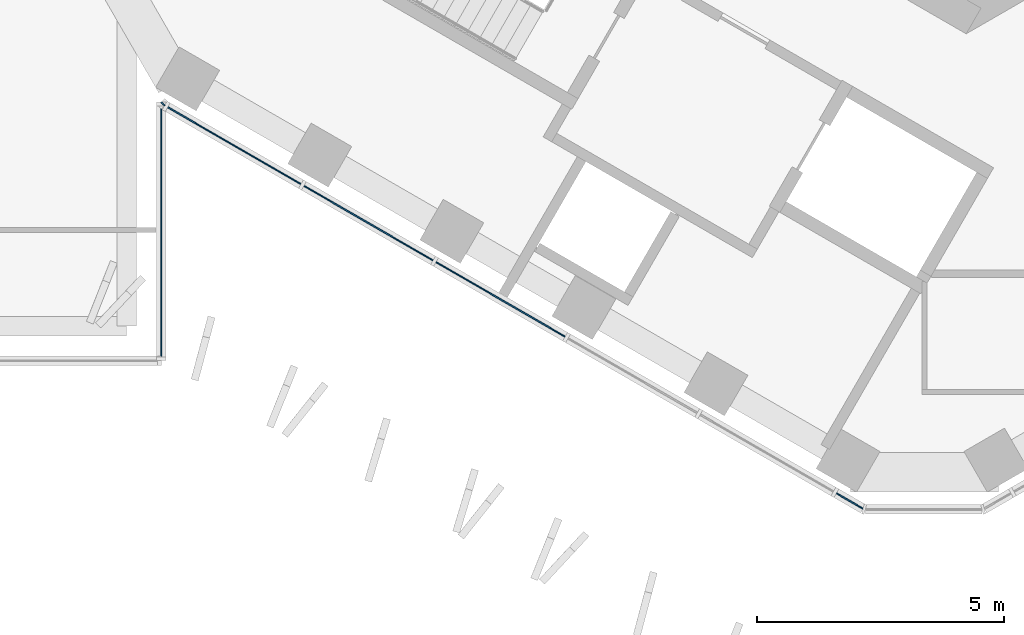
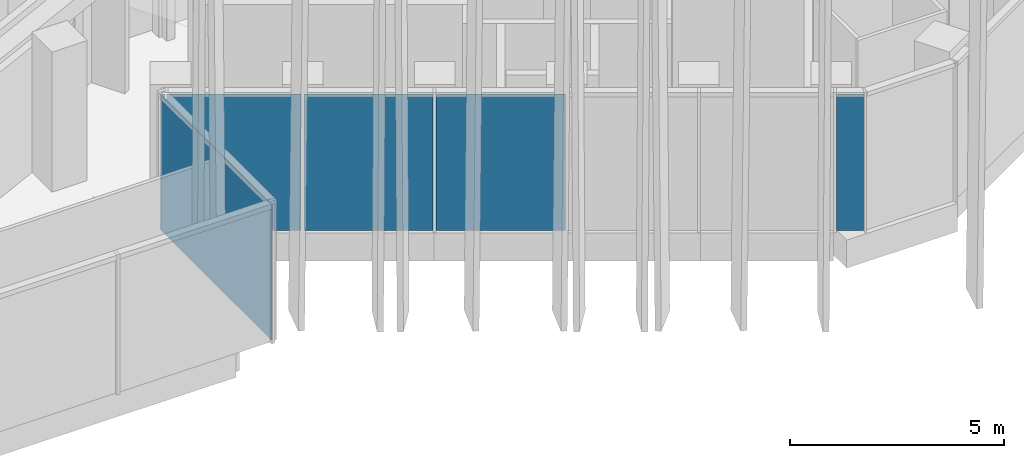
# One storey, part 12 of 28: 6 plates, 4 elements without a shape of their own.
"""IFC4 building model written with IfcOpenShell, lengths in metres."""

from ifc_helpers import new_model, si_unit, direction, frame, origin, origin_2d, place, context, subcontext, project, spatial, rectangle, extrude, material, layer, layer_set, type_object, element, aggregate, save


model = new_model("IFC4")

# Units and contexts
model_context = context("Model", 3, precision=1e-05, world=origin(), true_north=direction((0.0, 1.0)))
body_context = subcontext(model_context, "Body", "Model", "MODEL_VIEW")
ifc_project = project(units=[si_unit("LENGTHUNIT", "METRE"), si_unit("AREAUNIT", "SQUARE_METRE"), si_unit("VOLUMEUNIT", "CUBIC_METRE"), si_unit("PLANEANGLEUNIT", "RADIAN"), si_unit("MASSUNIT", "GRAM", prefix="KILO")], contexts=[model_context])

# Site, building, storey
site_placement = place(None, origin())
site = spatial("IfcSite", under=ifc_project, at=site_placement, CompositionType="ELEMENT")
building_placement = place(site_placement, origin())
building = spatial("IfcBuilding", under=site, at=building_placement, Name="Ayvan Gate Tower", CompositionType="ELEMENT")
storey_placement = place(building_placement, frame((0.0, 0.0, 202.10009765625)))
storey = spatial("IfcBuildingStorey", under=building, at=storey_placement, Name="L54", CompositionType="ELEMENT", Elevation=202.10009765625)

# Curtain wall, plates
ifc_material_1 = material(Name="Bronze anodised aluminium", Category="aluminium")
ifc_layer_1 = layer(ifc_material_1, 0.199951171875)
ifc_layer_set_1 = layer_set([ifc_layer_1], Name="Bronze anodised aluminium")
curtain_wall_type_1 = type_object("IfcCurtainWallType", Name="Stick curtain wall CW-2", PredefinedType="NOTDEFINED", material=ifc_layer_set_1)
curtain_wall_1_placement = place(storey_placement, origin())
curtain_wall_1 = element("IfcCurtainWall", 1, at=curtain_wall_1_placement, inside=storey, type_object=curtain_wall_type_1, Name="Stick curtain wall CW-2 L54", PredefinedType="NOTDEFINED")
ifc_material_2 = material(Name="Clear low-iron laminated glass", Category="glass")
ifc_layer_2 = layer(ifc_material_2, 0.028076171875)
ifc_layer_set_2 = layer_set([ifc_layer_2], Name="Clear low-iron laminated glass")
plate_type_1 = type_object("IfcPlateType", Name="Stick curtain wall CW-2 glass panel", PredefinedType="CURTAIN_PANEL", material=ifc_layer_set_2)
plate_1_placement = place(storey_placement, frame((-12.121826171875, -14.809814453125, 0.0), z_axis=(0.0, 0.0, 1.0), x_axis=(0.866025403784, -0.5, 0.0)))
plate_1 = element("IfcPlate", 2, at=plate_1_placement, type_object=plate_type_1, Name="CW-2 glass panel 2", PredefinedType="CURTAIN_PANEL", context=body_context, shape_type="SweptSolid", body=[
    extrude(rectangle(XDim=3.02294921875, YDim=0.028076171875, at=origin_2d()), origin(), (0.0, 0.0, 1.0), 3.8798828125),
])
plate_2_placement = place(storey_placement, frame((-9.443115234375, -16.356201171875, 0.0), z_axis=(0.0, 0.0, 1.0), x_axis=(0.866025403784, -0.5, 0.0)))
plate_2 = element("IfcPlate", 3, at=plate_2_placement, type_object=plate_type_1, Name="CW-2 glass panel 3", PredefinedType="CURTAIN_PANEL", context=body_context, shape_type="SweptSolid", body=[
    extrude(rectangle(XDim=3.02294921875, YDim=0.028076171875, at=origin_2d()), origin(), (0.0, 0.0, 1.0), 3.8798828125),
])
ifc_material_3 = material(Name="Pale anodised aluminium composite panel", Category="aluminium")
ifc_layer_3 = layer(ifc_material_3, 0.028076171875)
ifc_layer_set_3 = layer_set([ifc_layer_3], Name="Pale anodised aluminium composite panel")
plate_type_2 = type_object("IfcPlateType", Name="Stick curtain wall CW-2 solid panel", PredefinedType="CURTAIN_PANEL", material=ifc_layer_set_3)
plate_3_placement = place(storey_placement, frame((-14.857666015625, -13.230224609375, 0.0), z_axis=(0.0, 0.0, 1.0), x_axis=(0.866025403784, -0.5, 0.0)))
plate_3 = element("IfcPlate", 4, at=plate_3_placement, type_object=plate_type_2, Name="CW-2 solid panel 1", PredefinedType="CURTAIN_PANEL", context=body_context, shape_type="SweptSolid", body=[
    extrude(rectangle(XDim=3.155029296875, YDim=0.028076171875, at=origin_2d()), origin(), (0.0, 0.0, 1.0), 3.8798828125),
])
aggregate(curtain_wall_1, [plate_3, plate_1, plate_2])

# Curtain wall, plate
ifc_layer_4 = layer(ifc_material_1, 0.199951171875)
ifc_layer_set_4 = layer_set([ifc_layer_4], Name="Bronze anodised aluminium")
curtain_wall_type_2 = type_object("IfcCurtainWallType", Name="Stick curtain wall CW-4", PredefinedType="NOTDEFINED", material=ifc_layer_set_4)
curtain_wall_2_placement = place(storey_placement, origin())
curtain_wall_2 = element("IfcCurtainWall", 5, at=curtain_wall_2_placement, inside=storey, type_object=curtain_wall_type_2, Name="Stick curtain wall CW-4 L54", PredefinedType="NOTDEFINED")
ifc_layer_5 = layer(ifc_material_3, 0.028076171875)
ifc_layer_set_5 = layer_set([ifc_layer_5], Name="Pale anodised aluminium composite panel")
plate_type_3 = type_object("IfcPlateType", Name="Stick curtain wall CW-4 solid panel", PredefinedType="CURTAIN_PANEL", material=ifc_layer_set_5)
plate_4_placement = place(storey_placement, frame((-16.32421875, -14.976806640625, 0.0), z_axis=(0.0, 0.0, 1.0), x_axis=(0.0, 1.0, 0.0)))
plate_4 = element("IfcPlate", 6, at=plate_4_placement, type_object=plate_type_3, Name="CW-4 solid panel 1", PredefinedType="CURTAIN_PANEL", context=body_context, shape_type="SweptSolid", body=[
    extrude(rectangle(XDim=5.166259765625, YDim=0.028076171875, at=origin_2d()), origin(), (0.0, 0.0, 1.0), 3.860107421875),
])
aggregate(curtain_wall_2, [plate_4])

ifc_layer_6 = layer(ifc_material_1, 0.199951171875)
ifc_layer_set_6 = layer_set([ifc_layer_6], Name="Bronze anodised aluminium")
curtain_wall_type_3 = type_object("IfcCurtainWallType", Name="Stick curtain wall CW-6", PredefinedType="NOTDEFINED", material=ifc_layer_set_6)
curtain_wall_3_placement = place(storey_placement, origin())
curtain_wall_3 = element("IfcCurtainWall", 7, at=curtain_wall_3_placement, inside=storey, type_object=curtain_wall_type_3, Name="Stick curtain wall CW-6 L54", PredefinedType="NOTDEFINED")
ifc_layer_7 = layer(ifc_material_2, 0.028076171875)
ifc_layer_set_7 = layer_set([ifc_layer_7], Name="Clear low-iron laminated glass")
plate_type_4 = type_object("IfcPlateType", Name="Stick curtain wall CW-6 glass panel", PredefinedType="CURTAIN_PANEL", material=ifc_layer_set_7)
plate_5_placement = place(storey_placement, frame((-2.36181640625, -20.444580078125, 0.0), z_axis=(0.0, 0.0, 1.0), x_axis=(0.866025403784, -0.5, 0.0)))
plate_5 = element("IfcPlate", 8, at=plate_5_placement, type_object=plate_type_4, Name="CW-6 glass panel 1", PredefinedType="CURTAIN_PANEL", context=body_context, shape_type="SweptSolid", body=[
    extrude(rectangle(XDim=0.625, YDim=0.028076171875, at=origin_2d()), origin(), (0.0, 0.0, 1.0), 3.8798828125),
])
aggregate(curtain_wall_3, [plate_5])

curtain_wall_4_placement = place(storey_placement, origin())
curtain_wall_4 = element("IfcCurtainWall", 9, at=curtain_wall_4_placement, inside=storey, type_object=curtain_wall_type_3, Name="Stick curtain wall CW-6 L54", PredefinedType="NOTDEFINED")
plate_6_placement = place(storey_placement, frame((-16.2890625, -12.388916015625, 0.0), z_axis=(0.0, 0.0, 1.0), x_axis=(0.707106781187, -0.707106781187, 0.0)))
plate_6 = element("IfcPlate", 10, at=plate_6_placement, type_object=plate_type_4, Name="CW-6 glass panel 1", PredefinedType="CURTAIN_PANEL", context=body_context, shape_type="SweptSolid", body=[
    extrude(rectangle(XDim=0.099365234375, YDim=0.028076171875, at=origin_2d()), origin(), (0.0, 0.0, 1.0), 3.8798828125),
])
aggregate(curtain_wall_4, [plate_6])

save(model, "model.ifc")
